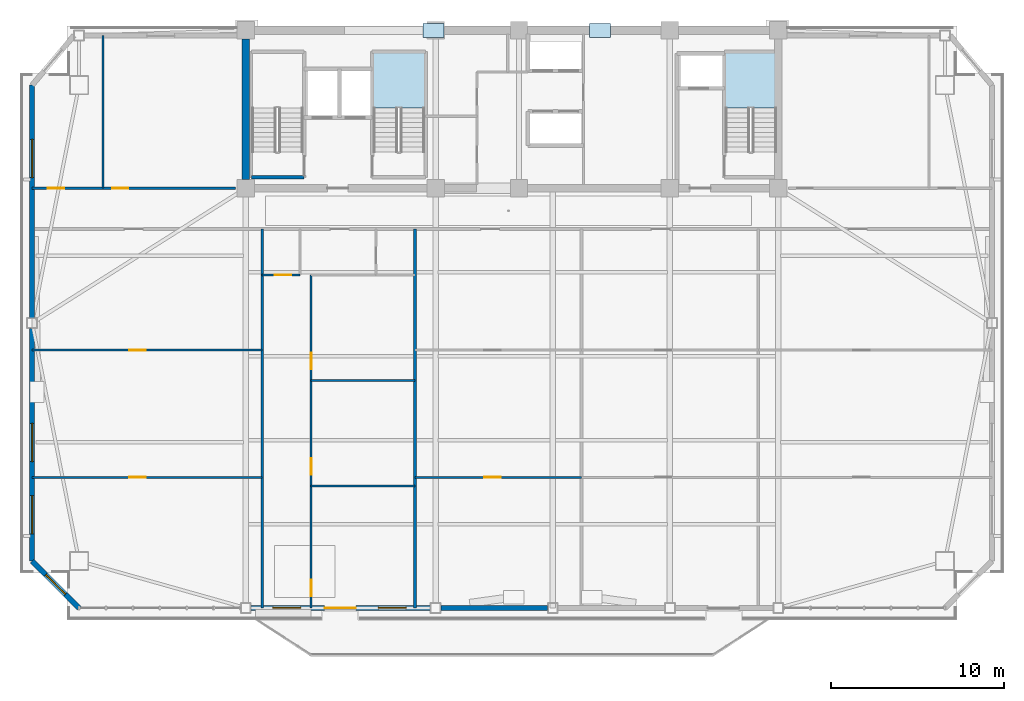
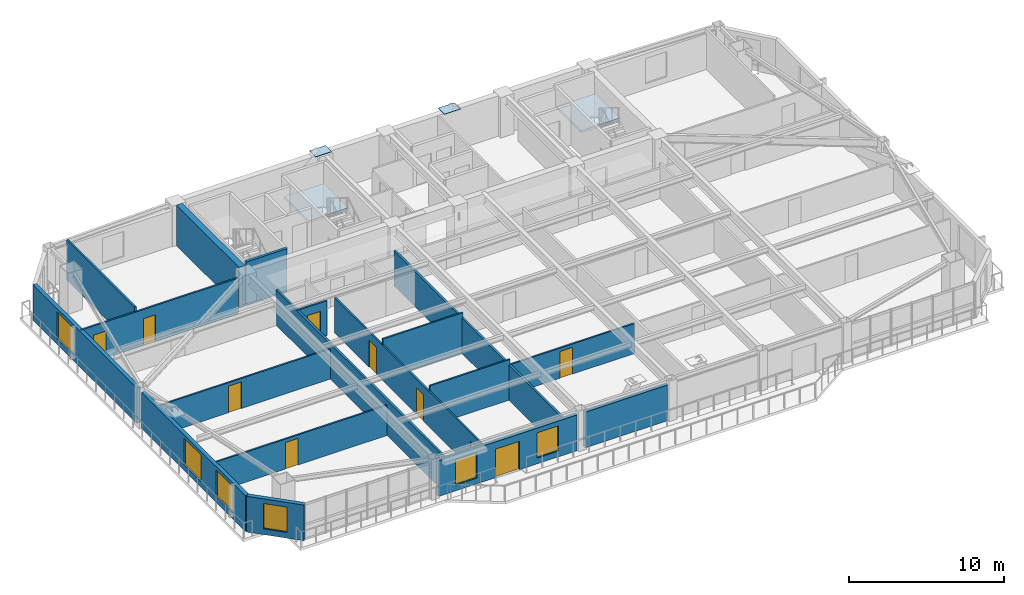
# One storey, part 8 of 16: 18 walls, 10 doors, 6 windows, 2 plates, 2 slabs, 16 openings, 2 elements without a shape of their own.
"""IFC4 building model written with IfcOpenShell, lengths in metres."""

from ifc_helpers import new_model, si_unit, direction, frame, frame_2d, origin, origin_2d, place, context, subcontext, project, spatial, polyline, rectangle, outline, extrude, source, transform, mapped, material, layer, layer_set, type_object, element, fill, aggregate, save


model = new_model("IFC4")

# Units and contexts
model_context = context("Model", 3, precision=1e-05, world=origin(), true_north=direction((0.0, 1.0)))
body_context = subcontext(model_context, "Body", "Model", "MODEL_VIEW")
ifc_project = project(units=[si_unit("LENGTHUNIT", "METRE"), si_unit("AREAUNIT", "SQUARE_METRE"), si_unit("VOLUMEUNIT", "CUBIC_METRE"), si_unit("PLANEANGLEUNIT", "RADIAN"), si_unit("MASSUNIT", "GRAM", prefix="KILO")], contexts=[model_context])

# Site, building, storey
site_placement = place(None, origin())
site = spatial("IfcSite", under=ifc_project, at=site_placement, CompositionType="ELEMENT")
building_placement = place(site_placement, origin())
building = spatial("IfcBuilding", under=site, at=building_placement, Name="Giltprow Tower", CompositionType="ELEMENT")
storey_placement = place(building_placement, frame((0.0, 0.0, 230.39990234375)))
storey = spatial("IfcBuildingStorey", under=building, at=storey_placement, Name="L58", CompositionType="ELEMENT", Elevation=230.39990234375)

# Stair, slab
ifc_material_1 = material(Name="Concrete C40", Category="concrete")
stair_type_1 = type_object("IfcStairType", Name="STR-ST-2", PredefinedType="HALF_TURN_STAIR", material=ifc_material_1)
stair_1_placement = place(storey_placement, origin())
stair_1 = element("IfcStair", 1, at=stair_1_placement, inside=storey, type_object=stair_type_1, Name="L58 Core Exit Stair ST-2", PredefinedType="HALF_TURN_STAIR")
ifc_layer_1 = layer(ifc_material_1, 0.18798828125, Name="Concrete C40")
ifc_layer_set_1 = layer_set([ifc_layer_1], Name="Concrete C40")
slab_type_1 = type_object("IfcSlabType", Name="SLD-ST-2", PredefinedType="LANDING", material=ifc_layer_set_1)
slab_1_placement = place(storey_placement, frame((0.0, 0.0, 1.51220703125)))
slab_1 = element("IfcSlab", 2, at=slab_1_placement, type_object=slab_type_1, Name="ST-2 landing 1", PredefinedType="LANDING", context=body_context, shape_type="SweptSolid", body=[
    extrude(outline(polyline([(30.159912109375, 42.070068359375), (30.159912109375, 45.25), (27.199951171875, 45.25), (27.199951171875, 42.070068359375), (30.159912109375, 42.070068359375)])), origin(), (0.0, 0.0, 1.0), 0.18798828125),
])
aggregate(stair_1, [slab_1])

stair_type_2 = type_object("IfcStairType", Name="STR-ST-3", PredefinedType="HALF_TURN_STAIR", material=ifc_material_1)
stair_2_placement = place(storey_placement, origin())
stair_2 = element("IfcStair", 3, at=stair_2_placement, inside=storey, type_object=stair_type_2, Name="L58 Core Exit Stair ST-3", PredefinedType="HALF_TURN_STAIR")
ifc_layer_2 = layer(ifc_material_1, 0.196044921875, Name="Concrete C40")
ifc_layer_set_2 = layer_set([ifc_layer_2], Name="Concrete C40")
slab_type_2 = type_object("IfcSlabType", Name="SLD-ST-3", PredefinedType="LANDING", material=ifc_layer_set_2)
slab_2_placement = place(storey_placement, frame((0.0, 0.0, 1.504150390625)))
slab_2 = element("IfcSlab", 4, at=slab_2_placement, type_object=slab_type_2, Name="ST-3 landing 1", PredefinedType="LANDING", context=body_context, shape_type="SweptSolid", body=[
    extrude(outline(polyline([(50.4599609375, 42.070068359375), (50.4599609375, 45.25), (47.5, 45.25), (47.5, 42.070068359375), (50.4599609375, 42.070068359375)])), origin(), (0.0, 0.0, 1.0), 0.196044921875),
])
aggregate(stair_2, [slab_2])

# Plates
ifc_material_2 = material(Name="Structural steel Q420GJC", Category="steel")
plate_type = type_object("IfcPlateType", Name="PLT-CAP-SEAL", PredefinedType="USERDEFINED", material=ifc_material_2)
shared_shape_1 = source(origin(), body_context, "Body", "SweptSolid", [
    extrude(rectangle(XDim=1.199951171875, YDim=0.800048828125, at=origin_2d()), origin(), (0.0, 0.0, 1.0), 0.034912109375),
])
for number, where, z_axis, x_axis, name in (
    (5, (30.6669921875, 46.550048828125, 3.24267578125), (0.0, 0.0, 1.0), (1.0, 0.0, 0.0), "Mega-Brace Node L58-N-LB"),
    (6, (40.26708984375, 46.550048828125, 3.24267578125), (0.0, 0.0, 1.0), (1.0, 0.0, 0.0), "Mega-Brace Node L58-N-RB"),
):
    element("IfcPlate", number, at=place(storey_placement, frame(where, z_axis=z_axis, x_axis=x_axis)), inside=storey, type_object=plate_type, Name=name, ObjectType="SPLICE", PredefinedType="USERDEFINED", context=body_context, shape_type="MappedRepresentation", body=[
        mapped(shared_shape_1, transform((0.0, 0.0, 0.0), x_axis=(1.0, 0.0, 0.0), y_axis=(0.0, 1.0, 0.0), z_axis=(0.0, 0.0, 1.0), scale=1.0)),
    ])

# Wall, opening, window
ifc_material_3 = material(Name="Precast concrete C40", Category="concrete")
ifc_layer_3 = layer(ifc_material_3, 0.300048828125, Name="Precast concrete C40")
ifc_layer_set_3 = layer_set([ifc_layer_3], Name="Precast concrete C40")
wall_type_1 = type_object("IfcWallType", Name="EW-NOTCH-CHAMFER-300", PredefinedType="SOLIDWALL", material=ifc_layer_set_3)
wall_1_placement = place(storey_placement, frame((7.532958984375, 15.95703125, 0.0), z_axis=(0.0, 0.0, 1.0), x_axis=(0.707106781187, -0.707106781187, 0.0)))
wall_1 = element("IfcWall", 7, at=wall_1_placement, inside=storey, type_object=wall_type_1, Name="L58 Corner Notch Wall SW", PredefinedType="SOLIDWALL", context=body_context, shape_type="SweptSolid", body=[
    extrude(rectangle(XDim=3.828369140625, YDim=0.300048828125, at=frame_2d((1.9140625, 0.0))), origin(), (0.0, 0.0, 1.0), 2.815185546875),
])
opening_1_placement = place(wall_1_placement, frame((1.114013671875, 0.0, 0.449951171875)))
opening_1 = element("IfcOpeningElement", 8, at=opening_1_placement, cuts=wall_1, Name="Opening WN17", PredefinedType="OPENING", context=body_context, shape_type="SweptSolid", body=[
    extrude(rectangle(XDim=1.60009765625, YDim=2.0, at=frame_2d((0.800048828125, 1.0))), frame((0.0, 0.159912109375, 0.0), z_axis=(0.0, -1.0, 0.0), x_axis=(1.0, 0.0, 0.0)), (0.0, 0.0, 1.0), 0.320068359375),
])
ifc_material_4 = material(Name="Insulated glass", Category="glass")
window_type_1 = type_object("IfcWindowType", Name="WN-COR-1600x2000", PartitioningType="SINGLE_PANEL", PredefinedType="WINDOW", material=ifc_material_4)
shared_shape_2 = source(origin(), body_context, "Body", "SweptSolid", [
    extrude(rectangle(XDim=1.60009765625, YDim=2.0, at=frame_2d((0.800048828125, 1.0))), frame((0.0, 0.030029296875, 0.0), z_axis=(0.0, -1.0, 0.0), x_axis=(1.0, 0.0, 0.0)), (0.0, 0.0, 1.0), 0.06005859375),
])
window_1_placement = place(opening_1_placement, origin())
window_1 = element("IfcWindow", 9, at=window_1_placement, inside=storey, type_object=window_type_1, Name="L58 Corner Notch Window SW", OverallHeight=2.0, OverallWidth=1.60009765625, PartitioningType="SINGLE_PANEL", PredefinedType="WINDOW", context=body_context, shape_type="MappedRepresentation", body=[
    mapped(shared_shape_2, transform((0.0, 0.0, 0.0), x_axis=(1.0, 0.0, 0.0), y_axis=(0.0, 1.0, 0.0), z_axis=(0.0, 0.0, 1.0), scale=1.0)),
])
fill(opening_1, window_1)

# Wall, openings, windows, door
ifc_layer_4 = layer(ifc_material_3, 0.280029296875, Name="Precast concrete C40")
ifc_layer_set_4 = layer_set([ifc_layer_4], Name="Precast concrete C40")
wall_type_2 = type_object("IfcWallType", Name="EW-TOW-BRONZE-280", PredefinedType="SOLIDWALL", material=ifc_layer_set_4)
wall_2_placement = place(storey_placement, frame((20.14990234375, 13.25, 0.0), z_axis=(0.0, 0.0, 1.0), x_axis=(1.0, 0.0, 0.0)))
wall_2 = element("IfcWall", 10, at=wall_2_placement, inside=storey, type_object=wall_type_2, Name="L58 South Expressed Frame Wall 2", PredefinedType="SOLIDWALL", context=body_context, shape_type="SweptSolid", body=[
    extrude(rectangle(XDim=10.35009765625, YDim=0.280029296875, at=frame_2d((5.175048828125, 0.0))), origin(), (0.0, 0.0, 1.0), 2.815185546875),
])
opening_2_placement = place(wall_2_placement, frame((4.25, 0.0, 0.0)))
opening_2 = element("IfcOpeningElement", 11, at=opening_2_placement, cuts=wall_2, Name="Opening ED25", PredefinedType="OPENING", context=body_context, shape_type="SweptSolid", body=[
    extrude(rectangle(XDim=1.800048828125, YDim=2.25, at=frame_2d((0.89990234375, 1.125))), frame((0.0, 0.14990234375, 0.0), z_axis=(0.0, -1.0, 0.0), x_axis=(1.0, 0.0, 0.0)), (0.0, 0.0, 1.0), 0.300048828125),
])
opening_3_placement = place(wall_2_placement, frame((1.27001953125, 0.0, 0.449951171875)))
opening_3 = element("IfcOpeningElement", 12, at=opening_3_placement, cuts=wall_2, Name="Opening WN17", PredefinedType="OPENING", context=body_context, shape_type="SweptSolid", body=[
    extrude(rectangle(XDim=1.60009765625, YDim=2.0, at=frame_2d((0.800048828125, 1.0))), frame((0.0, 0.14990234375, 0.0), z_axis=(0.0, -1.0, 0.0), x_axis=(1.0, 0.0, 0.0)), (0.0, 0.0, 1.0), 0.300048828125),
])
opening_4_placement = place(wall_2_placement, frame((7.35009765625, 0.0, 0.449951171875)))
opening_4 = element("IfcOpeningElement", 13, at=opening_4_placement, cuts=wall_2, Name="Opening WN17", PredefinedType="OPENING", context=body_context, shape_type="SweptSolid", body=[
    extrude(rectangle(XDim=1.60009765625, YDim=2.0, at=frame_2d((0.800048828125, 1.0))), frame((0.0, 0.14990234375, 0.0), z_axis=(0.0, -1.0, 0.0), x_axis=(1.0, 0.0, 0.0)), (0.0, 0.0, 1.0), 0.300048828125),
])
window_2_placement = place(opening_3_placement, origin())
window_2 = element("IfcWindow", 14, at=window_2_placement, inside=storey, type_object=window_type_1, Name="L58 South Window 2A", OverallHeight=2.0, OverallWidth=1.60009765625, PartitioningType="SINGLE_PANEL", PredefinedType="WINDOW", context=body_context, shape_type="MappedRepresentation", body=[
    mapped(shared_shape_2, transform((0.0, 0.0, 0.0), x_axis=(1.0, 0.0, 0.0), y_axis=(0.0, 1.0, 0.0), z_axis=(0.0, 0.0, 1.0), scale=1.0)),
])
fill(opening_3, window_2)
window_3_placement = place(opening_4_placement, origin())
window_3 = element("IfcWindow", 15, at=window_3_placement, inside=storey, type_object=window_type_1, Name="L58 South Window 2B", OverallHeight=2.0, OverallWidth=1.60009765625, PartitioningType="SINGLE_PANEL", PredefinedType="WINDOW", context=body_context, shape_type="MappedRepresentation", body=[
    mapped(shared_shape_2, transform((0.0, 0.0, 0.0), x_axis=(1.0, 0.0, 0.0), y_axis=(0.0, 1.0, 0.0), z_axis=(0.0, 0.0, 1.0), scale=1.0)),
])
fill(opening_4, window_3)
ifc_material_5 = material(Name="Anodized bronze and glass", Category="glass")
door_type_1 = type_object("IfcDoorType", Name="DR-BALC-SLIDE-1800", OperationType="SLIDING_TO_LEFT", PredefinedType="DOOR", material=ifc_material_5)
shared_shape_3 = source(origin(), body_context, "Body", "SweptSolid", [
    extrude(rectangle(XDim=1.800048828125, YDim=2.25, at=frame_2d((0.89990234375, 1.125))), frame((0.0, 0.02490234375, 0.0), z_axis=(0.0, -1.0, 0.0), x_axis=(1.0, 0.0, 0.0)), (0.0, 0.0, 1.0), 0.050048828125),
])
door_1_placement = place(opening_2_placement, origin())
door_1 = element("IfcDoor", 16, at=door_1_placement, inside=storey, type_object=door_type_1, Name="L58 Waterfront Balcony Sliding Door 1", OperationType="SLIDING_TO_LEFT", OverallHeight=2.25, OverallWidth=1.800048828125, PredefinedType="DOOR", context=body_context, shape_type="MappedRepresentation", body=[
    mapped(shared_shape_3, transform((0.0, 0.0, 0.0), x_axis=(1.0, 0.0, 0.0), y_axis=(0.0, 1.0, 0.0), z_axis=(0.0, 0.0, 1.0), scale=1.0)),
])
fill(opening_2, door_1)

# Wall
wall_3_placement = place(storey_placement, frame((31.10009765625, 13.25, 0.0), z_axis=(0.0, 0.0, 1.0), x_axis=(1.0, 0.0, 0.0)))
element("IfcWall", 17, at=wall_3_placement, inside=storey, type_object=wall_type_2, Name="L58 South Expressed Frame Wall 3", PredefinedType="SOLIDWALL", context=body_context, shape_type="SweptSolid", body=[
    extrude(rectangle(XDim=6.14990234375, YDim=0.280029296875, at=frame_2d((3.074951171875, 0.0))), origin(), (0.0, 0.0, 1.0), 2.815185546875),
])

# Wall, openings, windows
wall_4_placement = place(storey_placement, frame((7.532958984375, 15.95703125, 0.0), z_axis=(0.0, 0.0, 1.0), x_axis=(0.0, 1.0, 0.0)))
wall_4 = element("IfcWall", 18, at=wall_4_placement, inside=storey, type_object=wall_type_2, Name="L58 W Wing Masonry Wall 1", PredefinedType="SOLIDWALL", context=body_context, shape_type="SweptSolid", body=[
    extrude(rectangle(XDim=13.41796875, YDim=0.280029296875, at=frame_2d((6.708984375, 0.0))), origin(), (0.0, 0.0, 1.0), 2.815185546875),
])
opening_5_placement = place(wall_4_placement, frame((1.56689453125, 0.0, 0.449951171875)))
opening_5 = element("IfcOpeningElement", 19, at=opening_5_placement, cuts=wall_4, Name="Opening WN27", PredefinedType="OPENING", context=body_context, shape_type="SweptSolid", body=[
    extrude(rectangle(XDim=2.199951171875, YDim=2.10009765625, at=frame_2d((1.10009765625, 1.050048828125))), frame((0.0, 0.14990234375, 0.0), z_axis=(0.0, -1.0, 0.0), x_axis=(1.0, 0.0, 0.0)), (0.0, 0.0, 1.0), 0.300048828125),
])
opening_6_placement = place(wall_4_placement, frame((5.735107421875, 0.0, 0.449951171875)))
opening_6 = element("IfcOpeningElement", 20, at=opening_6_placement, cuts=wall_4, Name="Opening WN27", PredefinedType="OPENING", context=body_context, shape_type="SweptSolid", body=[
    extrude(rectangle(XDim=2.199951171875, YDim=2.10009765625, at=frame_2d((1.10009765625, 1.050048828125))), frame((0.0, 0.14990234375, 0.0), z_axis=(0.0, -1.0, 0.0), x_axis=(1.0, 0.0, 0.0)), (0.0, 0.0, 1.0), 0.300048828125),
])
window_type_2 = type_object("IfcWindowType", Name="WN-RES-2200x2100", PartitioningType="TRIPLE_PANEL_VERTICAL", PredefinedType="WINDOW", material=ifc_material_4)
shared_shape_4 = source(origin(), body_context, "Body", "SweptSolid", [
    extrude(rectangle(XDim=2.199951171875, YDim=2.10009765625, at=frame_2d((1.10009765625, 1.050048828125))), frame((0.0, 0.030029296875, 0.0), z_axis=(0.0, -1.0, 0.0), x_axis=(1.0, 0.0, 0.0)), (0.0, 0.0, 1.0), 0.06005859375),
])
window_4_placement = place(opening_5_placement, origin())
window_4 = element("IfcWindow", 21, at=window_4_placement, inside=storey, type_object=window_type_2, Name="L58 W Wing Window 1-1A", OverallHeight=2.10009765625, OverallWidth=2.199951171875, PartitioningType="SINGLE_PANEL", PredefinedType="WINDOW", context=body_context, shape_type="MappedRepresentation", body=[
    mapped(shared_shape_4, transform((0.0, 0.0, 0.0), x_axis=(1.0, 0.0, 0.0), y_axis=(0.0, 1.0, 0.0), z_axis=(0.0, 0.0, 1.0), scale=1.0)),
])
fill(opening_5, window_4)
window_5_placement = place(opening_6_placement, origin())
window_5 = element("IfcWindow", 22, at=window_5_placement, inside=storey, type_object=window_type_2, Name="L58 W Wing Window 1-1B", OverallHeight=2.10009765625, OverallWidth=2.199951171875, PartitioningType="SINGLE_PANEL", PredefinedType="WINDOW", context=body_context, shape_type="MappedRepresentation", body=[
    mapped(shared_shape_4, transform((0.0, 0.0, 0.0), x_axis=(1.0, 0.0, 0.0), y_axis=(0.0, 1.0, 0.0), z_axis=(0.0, 0.0, 1.0), scale=1.0)),
])
fill(opening_6, window_5)

# Wall, opening, window
wall_5_placement = place(storey_placement, frame((7.532958984375, 29.97509765625, 0.0), z_axis=(0.0, 0.0, 1.0), x_axis=(0.0, 1.0, 0.0)))
wall_5 = element("IfcWall", 23, at=wall_5_placement, inside=storey, type_object=wall_type_2, Name="L58 W Wing Masonry Wall 2", PredefinedType="SOLIDWALL", context=body_context, shape_type="SweptSolid", body=[
    extrude(rectangle(XDim=13.41796875, YDim=0.280029296875, at=frame_2d((6.708984375, 0.0))), origin(), (0.0, 0.0, 1.0), 2.815185546875),
])
opening_7_placement = place(wall_5_placement, frame((8.093017578125, 0.0, 0.449951171875)))
opening_7 = element("IfcOpeningElement", 24, at=opening_7_placement, cuts=wall_5, Name="Opening WN27", PredefinedType="OPENING", context=body_context, shape_type="SweptSolid", body=[
    extrude(rectangle(XDim=2.199951171875, YDim=2.10009765625, at=frame_2d((1.10009765625, 1.050048828125))), frame((0.0, 0.14990234375, 0.0), z_axis=(0.0, -1.0, 0.0), x_axis=(1.0, 0.0, 0.0)), (0.0, 0.0, 1.0), 0.300048828125),
])
window_6_placement = place(opening_7_placement, origin())
window_6 = element("IfcWindow", 25, at=window_6_placement, inside=storey, type_object=window_type_2, Name="L58 W Wing Window 2-1", OverallHeight=2.10009765625, OverallWidth=2.199951171875, PartitioningType="SINGLE_PANEL", PredefinedType="WINDOW", context=body_context, shape_type="MappedRepresentation", body=[
    mapped(shared_shape_4, transform((0.0, 0.0, 0.0), x_axis=(1.0, 0.0, 0.0), y_axis=(0.0, 1.0, 0.0), z_axis=(0.0, 0.0, 1.0), scale=1.0)),
])
fill(opening_7, window_6)

# Walls
ifc_material_6 = material(Name="Gypsum stud partition", Category="gypsum")
ifc_layer_5 = layer(ifc_material_6, 0.159912109375, Name="Gypsum stud partition")
ifc_layer_set_5 = layer_set([ifc_layer_5], Name="Gypsum stud partition")
wall_type_3 = type_object("IfcWallType", Name="IW-DEMISE-160", PredefinedType="PARTITIONING", material=ifc_layer_set_5)
for number, where, z_axis, x_axis, name in (
    (26, (20.800048828125, 13.25, 0.0), (0.0, 0.0, 1.0), (0.0, 1.0, 0.0), "L58 Apartment Party Wall 1"),
    (27, (29.60009765625, 13.25, 0.0), (0.0, 0.0, 1.0), (0.0, 1.0, 0.0), "L58 Apartment Party Wall 2"),
):
    element("IfcWall", number, at=place(storey_placement, frame(where, z_axis=z_axis, x_axis=x_axis)), inside=storey, type_object=wall_type_3, Name=name, PredefinedType="PARTITIONING", context=body_context, shape_type="SweptSolid", body=[
        extrude(rectangle(XDim=21.85009765625, YDim=0.159912109375, at=frame_2d((10.925048828125, 0.0))), origin(), (0.0, 0.0, 1.0), 2.77001953125),
    ])

# Wall, opening, door
ifc_layer_6 = layer(ifc_material_6, 0.1201171875, Name="Gypsum stud partition")
ifc_layer_set_6 = layer_set([ifc_layer_6], Name="Gypsum stud partition")
wall_type_4 = type_object("IfcWallType", Name="IW-ROOM-120", PredefinedType="PARTITIONING", material=ifc_layer_set_6)
wall_6_placement = place(storey_placement, frame((7.532958984375, 20.783935546875, 0.0), z_axis=(0.0, 0.0, 1.0), x_axis=(1.0, 0.0, 0.0)))
wall_6 = element("IfcWall", 28, at=wall_6_placement, inside=storey, type_object=wall_type_4, Name="L58 Special Split 1", PredefinedType="PARTITIONING", context=body_context, shape_type="SweptSolid", body=[
    extrude(rectangle(XDim=13.26708984375, YDim=0.1201171875, at=frame_2d((6.633544921875, 0.0))), origin(), (0.0, 0.0, 1.0), 2.3701171875),
])
opening_8_placement = place(wall_6_placement, frame((5.593017578125, 0.0, 0.0)))
opening_8 = element("IfcOpeningElement", 29, at=opening_8_placement, cuts=wall_6, Name="Opening ID11", PredefinedType="OPENING", context=body_context, shape_type="SweptSolid", body=[
    extrude(rectangle(XDim=0.949951171875, YDim=2.10009765625, at=frame_2d((0.47509765625, 1.050048828125))), frame((0.0, 0.070068359375, 0.0), z_axis=(0.0, -1.0, 0.0), x_axis=(1.0, 0.0, 0.0)), (0.0, 0.0, 1.0), 0.14013671875),
])
ifc_material_7 = material(Name="Engineered timber", Category="wood")
door_type_2 = type_object("IfcDoorType", Name="DR-ROOM-950", OperationType="SINGLE_SWING_RIGHT", PredefinedType="DOOR", material=ifc_material_7)
shared_shape_5 = source(origin(), body_context, "Body", "SweptSolid", [
    extrude(rectangle(XDim=0.949951171875, YDim=2.10009765625, at=frame_2d((0.47509765625, 1.050048828125))), frame((0.0, 0.02490234375, 0.0), z_axis=(0.0, -1.0, 0.0), x_axis=(1.0, 0.0, 0.0)), (0.0, 0.0, 1.0), 0.050048828125),
])
door_2_placement = place(opening_8_placement, origin())
door_2 = element("IfcDoor", 30, at=door_2_placement, inside=storey, type_object=door_type_2, Name="L58 Harbour Lounge Salon South Door", OperationType="SINGLE_SWING_RIGHT", OverallHeight=2.10009765625, OverallWidth=0.949951171875, PredefinedType="DOOR", context=body_context, shape_type="MappedRepresentation", body=[
    mapped(shared_shape_5, transform((0.0, 0.0, 0.0), x_axis=(1.0, 0.0, 0.0), y_axis=(0.0, 1.0, 0.0), z_axis=(0.0, 0.0, 1.0), scale=1.0)),
])
fill(opening_8, door_2)

wall_7_placement = place(storey_placement, frame((7.532958984375, 28.117919921875, 0.0), z_axis=(0.0, 0.0, 1.0), x_axis=(1.0, 0.0, 0.0)))
wall_7 = element("IfcWall", 31, at=wall_7_placement, inside=storey, type_object=wall_type_4, Name="L58 Special Split 2", PredefinedType="PARTITIONING", context=body_context, shape_type="SweptSolid", body=[
    extrude(rectangle(XDim=13.26708984375, YDim=0.1201171875, at=frame_2d((6.633544921875, 0.0))), origin(), (0.0, 0.0, 1.0), 2.3701171875),
])
opening_9_placement = place(wall_7_placement, frame((5.593017578125, 0.0, 0.0)))
opening_9 = element("IfcOpeningElement", 32, at=opening_9_placement, cuts=wall_7, Name="Opening ID11", PredefinedType="OPENING", context=body_context, shape_type="SweptSolid", body=[
    extrude(rectangle(XDim=0.949951171875, YDim=2.10009765625, at=frame_2d((0.47509765625, 1.050048828125))), frame((0.0, 0.070068359375, 0.0), z_axis=(0.0, -1.0, 0.0), x_axis=(1.0, 0.0, 0.0)), (0.0, 0.0, 1.0), 0.14013671875),
])
door_3_placement = place(opening_9_placement, origin())
door_3 = element("IfcDoor", 33, at=door_3_placement, inside=storey, type_object=door_type_2, Name="L58 Harbour Lounge Salon Mid Door", OperationType="SINGLE_SWING_LEFT", OverallHeight=2.10009765625, OverallWidth=0.949951171875, PredefinedType="DOOR", context=body_context, shape_type="MappedRepresentation", body=[
    mapped(shared_shape_5, transform((0.0, 0.0, 0.0), x_axis=(1.0, 0.0, 0.0), y_axis=(0.0, 1.0, 0.0), z_axis=(0.0, 0.0, 1.0), scale=1.0)),
])
fill(opening_9, door_3)

# Wall, openings, doors
wall_8_placement = place(storey_placement, frame((23.6201171875, 13.25, 0.0), z_axis=(0.0, 0.0, 1.0), x_axis=(0.0, 1.0, 0.0)))
wall_8 = element("IfcWall", 34, at=wall_8_placement, inside=storey, type_object=wall_type_4, Name="L58 Unit 1 Bedroom Wall", PredefinedType="PARTITIONING", context=body_context, shape_type="SweptSolid", body=[
    extrude(rectangle(XDim=19.199951171875, YDim=0.1201171875, at=frame_2d((9.60009765625, 0.0))), origin(), (0.0, 0.0, 1.0), 2.77001953125),
])
opening_10_placement = place(wall_8_placement, frame((0.669921875, 0.0, 0.0)))
opening_10 = element("IfcOpeningElement", 35, at=opening_10_placement, cuts=wall_8, Name="Opening ID11", PredefinedType="OPENING", context=body_context, shape_type="SweptSolid", body=[
    extrude(rectangle(XDim=0.949951171875, YDim=2.10009765625, at=frame_2d((0.47509765625, 1.050048828125))), frame((0.0, 0.070068359375, 0.0), z_axis=(0.0, -1.0, 0.0), x_axis=(1.0, 0.0, 0.0)), (0.0, 0.0, 1.0), 0.14013671875),
])
opening_11_placement = place(wall_8_placement, frame((7.679931640625, 0.0, 0.0)))
opening_11 = element("IfcOpeningElement", 36, at=opening_11_placement, cuts=wall_8, Name="Opening ID11", PredefinedType="OPENING", context=body_context, shape_type="SweptSolid", body=[
    extrude(rectangle(XDim=0.949951171875, YDim=2.10009765625, at=frame_2d((0.47509765625, 1.050048828125))), frame((0.0, 0.070068359375, 0.0), z_axis=(0.0, -1.0, 0.0), x_axis=(1.0, 0.0, 0.0)), (0.0, 0.0, 1.0), 0.14013671875),
])
opening_12_placement = place(wall_8_placement, frame((13.760009765625, 0.0, 0.0)))
opening_12 = element("IfcOpeningElement", 37, at=opening_12_placement, cuts=wall_8, Name="Opening ID11", PredefinedType="OPENING", context=body_context, shape_type="SweptSolid", body=[
    extrude(rectangle(XDim=0.949951171875, YDim=2.10009765625, at=frame_2d((0.47509765625, 1.050048828125))), frame((0.0, 0.070068359375, 0.0), z_axis=(0.0, -1.0, 0.0), x_axis=(1.0, 0.0, 0.0)), (0.0, 0.0, 1.0), 0.14013671875),
])
door_4_placement = place(opening_10_placement, origin())
door_4 = element("IfcDoor", 38, at=door_4_placement, inside=storey, type_object=door_type_2, Name="L58 Unit 1 Primary Bedroom Door", OperationType="SINGLE_SWING_RIGHT", OverallHeight=2.10009765625, OverallWidth=0.949951171875, PredefinedType="DOOR", context=body_context, shape_type="MappedRepresentation", body=[
    mapped(shared_shape_5, transform((0.0, 0.0, 0.0), x_axis=(1.0, 0.0, 0.0), y_axis=(0.0, 1.0, 0.0), z_axis=(0.0, 0.0, 1.0), scale=1.0)),
])
fill(opening_10, door_4)
door_5_placement = place(opening_11_placement, origin())
door_5 = element("IfcDoor", 39, at=door_5_placement, inside=storey, type_object=door_type_2, Name="L58 Unit 1 Second Bedroom Door", OperationType="SINGLE_SWING_LEFT", OverallHeight=2.10009765625, OverallWidth=0.949951171875, PredefinedType="DOOR", context=body_context, shape_type="MappedRepresentation", body=[
    mapped(shared_shape_5, transform((0.0, 0.0, 0.0), x_axis=(1.0, 0.0, 0.0), y_axis=(0.0, 1.0, 0.0), z_axis=(0.0, 0.0, 1.0), scale=1.0)),
])
fill(opening_11, door_5)
door_6_placement = place(opening_12_placement, origin())
door_6 = element("IfcDoor", 40, at=door_6_placement, inside=storey, type_object=door_type_2, Name="L58 Unit 1 Third Bedroom Door", OperationType="SINGLE_SWING_RIGHT", OverallHeight=2.10009765625, OverallWidth=0.949951171875, PredefinedType="DOOR", context=body_context, shape_type="MappedRepresentation", body=[
    mapped(shared_shape_5, transform((0.0, 0.0, 0.0), x_axis=(1.0, 0.0, 0.0), y_axis=(0.0, 1.0, 0.0), z_axis=(0.0, 0.0, 1.0), scale=1.0)),
])
fill(opening_12, door_6)

# Walls
for number, where, z_axis, x_axis, name in (
    (41, (23.6201171875, 20.2900390625, 0.0), (0.0, 0.0, 1.0), (1.0, 0.0, 0.0), "L58 Unit 1 Bedroom Split 1"),
    (42, (23.6201171875, 26.3701171875, 0.0), (0.0, 0.0, 1.0), (1.0, 0.0, 0.0), "L58 Unit 1 Bedroom Split 2"),
):
    element("IfcWall", number, at=place(storey_placement, frame(where, z_axis=z_axis, x_axis=x_axis)), inside=storey, type_object=wall_type_4, Name=name, PredefinedType="PARTITIONING", context=body_context, shape_type="SweptSolid", body=[
        extrude(rectangle(XDim=5.97998046875, YDim=0.1201171875, at=frame_2d((2.989990234375, 0.0))), origin(), (0.0, 0.0, 1.0), 3.18505859375),
    ])

# Wall, opening, door
wall_9_placement = place(storey_placement, frame((29.60009765625, 20.783935546875, 0.0), z_axis=(0.0, 0.0, 1.0), x_axis=(1.0, 0.0, 0.0)))
wall_9 = element("IfcWall", 43, at=wall_9_placement, inside=storey, type_object=wall_type_4, Name="L58 Special Split 1", PredefinedType="PARTITIONING", context=body_context, shape_type="SweptSolid", body=[
    extrude(rectangle(XDim=9.599853515625, YDim=0.1201171875, at=frame_2d((4.7998046875, 0.0))), origin(), (0.0, 0.0, 1.0), 2.3701171875),
])
opening_13_placement = place(wall_9_placement, frame((4.006103515625, 0.0, 0.0)))
opening_13 = element("IfcOpeningElement", 44, at=opening_13_placement, cuts=wall_9, Name="Opening ID11", PredefinedType="OPENING", context=body_context, shape_type="SweptSolid", body=[
    extrude(rectangle(XDim=0.949951171875, YDim=2.10009765625, at=frame_2d((0.47509765625, 1.050048828125))), frame((0.0, 0.070068359375, 0.0), z_axis=(0.0, -1.0, 0.0), x_axis=(1.0, 0.0, 0.0)), (0.0, 0.0, 1.0), 0.14013671875),
])
door_7_placement = place(opening_13_placement, origin())
door_7 = element("IfcDoor", 45, at=door_7_placement, inside=storey, type_object=door_type_2, Name="L58 Residents Sky Club Lounge South Door", OperationType="SINGLE_SWING_LEFT", OverallHeight=2.10009765625, OverallWidth=0.949951171875, PredefinedType="DOOR", context=body_context, shape_type="MappedRepresentation", body=[
    mapped(shared_shape_5, transform((0.0, 0.0, 0.0), x_axis=(1.0, 0.0, 0.0), y_axis=(0.0, 1.0, 0.0), z_axis=(0.0, 0.0, 1.0), scale=1.0)),
])
fill(opening_13, door_7)

# Wall
ifc_layer_7 = layer(ifc_material_1, 0.199951171875, Name="Concrete C40")
ifc_layer_set_7 = layer_set([ifc_layer_7], Name="Concrete C40")
wall_type_5 = type_object("IfcWallType", Name="IW-STAIR-200", PredefinedType="SOLIDWALL", material=ifc_layer_set_7)
wall_10_placement = place(storey_placement, frame((20.169921875, 38.070068359375, 0.0), z_axis=(0.0, 0.0, 1.0), x_axis=(1.0, 0.0, 0.0)))
element("IfcWall", 46, at=wall_10_placement, inside=storey, type_object=wall_type_5, Name="L58 Stair ST-1 South Bearing Wall", PredefinedType="SOLIDWALL", context=body_context, shape_type="SweptSolid", body=[
    extrude(rectangle(XDim=3.050048828125, YDim=0.199951171875, at=frame_2d((1.52490234375, 0.0))), origin(), (0.0, 0.0, 1.0), 3.400146484375),
])

# Wall, opening, door
ifc_material_8 = material(Name="Concrete C30", Category="concrete")
ifc_layer_8 = layer(ifc_material_8, 0.1298828125, Name="Concrete C30")
ifc_layer_set_8 = layer_set([ifc_layer_8], Name="Concrete C30")
wall_type_6 = type_object("IfcWallType", Name="IW-WET-130", PredefinedType="PARTITIONING", material=ifc_layer_set_8)
wall_11_placement = place(storey_placement, frame((20.800048828125, 32.449951171875, 0.0), z_axis=(0.0, 0.0, 1.0), x_axis=(1.0, 0.0, 0.0)))
wall_11 = element("IfcWall", 47, at=wall_11_placement, inside=storey, type_object=wall_type_6, Name="L58 Unit 1 Kitchen South Wall", PredefinedType="PARTITIONING", context=body_context, shape_type="SweptSolid", body=[
    extrude(rectangle(XDim=2.169921875, YDim=0.1298828125, at=frame_2d((1.0849609375, 0.0))), origin(), (0.0, 0.0, 1.0), 2.77001953125),
])
opening_14_placement = place(wall_11_placement, frame((0.72998046875, 0.0, 0.0)))
opening_14 = element("IfcOpeningElement", 48, at=opening_14_placement, cuts=wall_11, Name="Opening ID11", PredefinedType="OPENING", context=body_context, shape_type="SweptSolid", body=[
    extrude(rectangle(XDim=0.949951171875, YDim=2.10009765625, at=frame_2d((0.47509765625, 1.050048828125))), frame((0.0, 0.074951171875, 0.0), z_axis=(0.0, -1.0, 0.0), x_axis=(1.0, 0.0, 0.0)), (0.0, 0.0, 1.0), 0.14990234375),
])
door_8_placement = place(opening_14_placement, origin())
door_8 = element("IfcDoor", 49, at=door_8_placement, inside=storey, type_object=door_type_2, Name="L58 Unit 1 Kitchen Door", OperationType="SINGLE_SWING_RIGHT", OverallHeight=2.10009765625, OverallWidth=0.949951171875, PredefinedType="DOOR", context=body_context, shape_type="MappedRepresentation", body=[
    mapped(shared_shape_5, transform((0.0, 0.0, 0.0), x_axis=(1.0, 0.0, 0.0), y_axis=(0.0, 1.0, 0.0), z_axis=(0.0, 0.0, 1.0), scale=1.0)),
])
fill(opening_14, door_8)

# Wall, openings, doors
wall_12_placement = place(storey_placement, frame((7.532958984375, 37.449951171875, 0.0), z_axis=(0.0, 0.0, 1.0), x_axis=(1.0, 0.0, 0.0)))
wall_12 = element("IfcWall", 50, at=wall_12_placement, inside=storey, type_object=wall_type_6, Name="L58 NW Wing South Wall", PredefinedType="PARTITIONING", context=body_context, shape_type="SweptSolid", body=[
    extrude(rectangle(XDim=11.717041015625, YDim=0.1298828125, at=frame_2d((5.8583984375, 0.0))), origin(), (0.0, 0.0, 1.0), 2.820068359375),
])
opening_15_placement = place(wall_12_placement, frame((0.89990234375, 0.0, 0.0)))
opening_15 = element("IfcOpeningElement", 51, at=opening_15_placement, cuts=wall_12, Name="Opening ID11", PredefinedType="OPENING", context=body_context, shape_type="SweptSolid", body=[
    extrude(rectangle(XDim=0.949951171875, YDim=2.10009765625, at=frame_2d((0.47509765625, 1.050048828125))), frame((0.0, 0.074951171875, 0.0), z_axis=(0.0, -1.0, 0.0), x_axis=(1.0, 0.0, 0.0)), (0.0, 0.0, 1.0), 0.14990234375),
])
opening_16_placement = place(wall_12_placement, frame((4.632080078125, 0.0, 0.0)))
opening_16 = element("IfcOpeningElement", 52, at=opening_16_placement, cuts=wall_12, Name="Opening ID15", PredefinedType="OPENING", context=body_context, shape_type="SweptSolid", body=[
    extrude(rectangle(XDim=0.89990234375, YDim=2.10009765625, at=frame_2d((0.449951171875, 1.050048828125))), frame((0.0, 0.074951171875, 0.0), z_axis=(0.0, -1.0, 0.0), x_axis=(1.0, 0.0, 0.0)), (0.0, 0.0, 1.0), 0.14990234375),
])
door_type_3 = type_object("IfcDoorType", Name="DR-WC-900", OperationType="SINGLE_SWING_LEFT", PredefinedType="DOOR", material=ifc_material_7)
shared_shape_6 = source(origin(), body_context, "Body", "SweptSolid", [
    extrude(rectangle(XDim=0.89990234375, YDim=2.10009765625, at=frame_2d((0.449951171875, 1.050048828125))), frame((0.0, 0.02490234375, 0.0), z_axis=(0.0, -1.0, 0.0), x_axis=(1.0, 0.0, 0.0)), (0.0, 0.0, 1.0), 0.050048828125),
])
door_9_placement = place(opening_16_placement, origin())
door_9 = element("IfcDoor", 53, at=door_9_placement, inside=storey, type_object=door_type_3, Name="L58 NW Washroom Door", OperationType="SINGLE_SWING_LEFT", OverallHeight=2.10009765625, OverallWidth=0.89990234375, PredefinedType="DOOR", context=body_context, shape_type="MappedRepresentation", body=[
    mapped(shared_shape_6, transform((0.0, 0.0, 0.0), x_axis=(1.0, 0.0, 0.0), y_axis=(0.0, 1.0, 0.0), z_axis=(0.0, 0.0, 1.0), scale=1.0)),
])
fill(opening_16, door_9)
door_10_placement = place(opening_15_placement, origin())
door_10 = element("IfcDoor", 54, at=door_10_placement, inside=storey, type_object=door_type_2, Name="L58 Residents Study Office West Door", OperationType="SINGLE_SWING_RIGHT", OverallHeight=2.10009765625, OverallWidth=0.949951171875, PredefinedType="DOOR", context=body_context, shape_type="MappedRepresentation", body=[
    mapped(shared_shape_5, transform((0.0, 0.0, 0.0), x_axis=(1.0, 0.0, 0.0), y_axis=(0.0, 1.0, 0.0), z_axis=(0.0, 0.0, 1.0), scale=1.0)),
])
fill(opening_15, door_10)

# Walls
wall_13_placement = place(storey_placement, frame((11.614990234375, 37.449951171875, 0.0), z_axis=(0.0, 0.0, 1.0), x_axis=(0.0, 1.0, 0.0)))
element("IfcWall", 55, at=wall_13_placement, inside=storey, type_object=wall_type_6, Name="L58 NW Wing Divider", PredefinedType="PARTITIONING", context=body_context, shape_type="SweptSolid", body=[
    extrude(rectangle(XDim=8.800048828125, YDim=0.1298828125, at=frame_2d((4.39990234375, 0.0))), origin(), (0.0, 0.0, 1.0), 3.18505859375),
])
ifc_material_9 = material(Name="Concrete C50", Category="concrete")
ifc_layer_9 = layer(ifc_material_9, 0.449951171875, Name="Concrete C50")
ifc_layer_set_9 = layer_set([ifc_layer_9], Name="Concrete C50")
wall_type_7 = type_object("IfcWallType", Name="SW-INT-450-C50", PredefinedType="SHEAR", material=ifc_layer_set_9)
wall_14_placement = place(storey_placement, frame((19.85009765625, 37.949951171875, 0.0), z_axis=(0.0, 0.0, 1.0), x_axis=(0.0, 1.0, 0.0)))
element("IfcWall", 56, at=wall_14_placement, inside=storey, type_object=wall_type_7, Name="L58 W Rear Core Shear Wall", PredefinedType="SHEAR", context=body_context, shape_type="SweptSolid", body=[
    extrude(rectangle(XDim=8.10009765625, YDim=0.449951171875, at=frame_2d((4.050048828125, 0.0))), origin(), (0.0, 0.0, 1.0), 3.18505859375),
])

save(model, "model.ifc")
